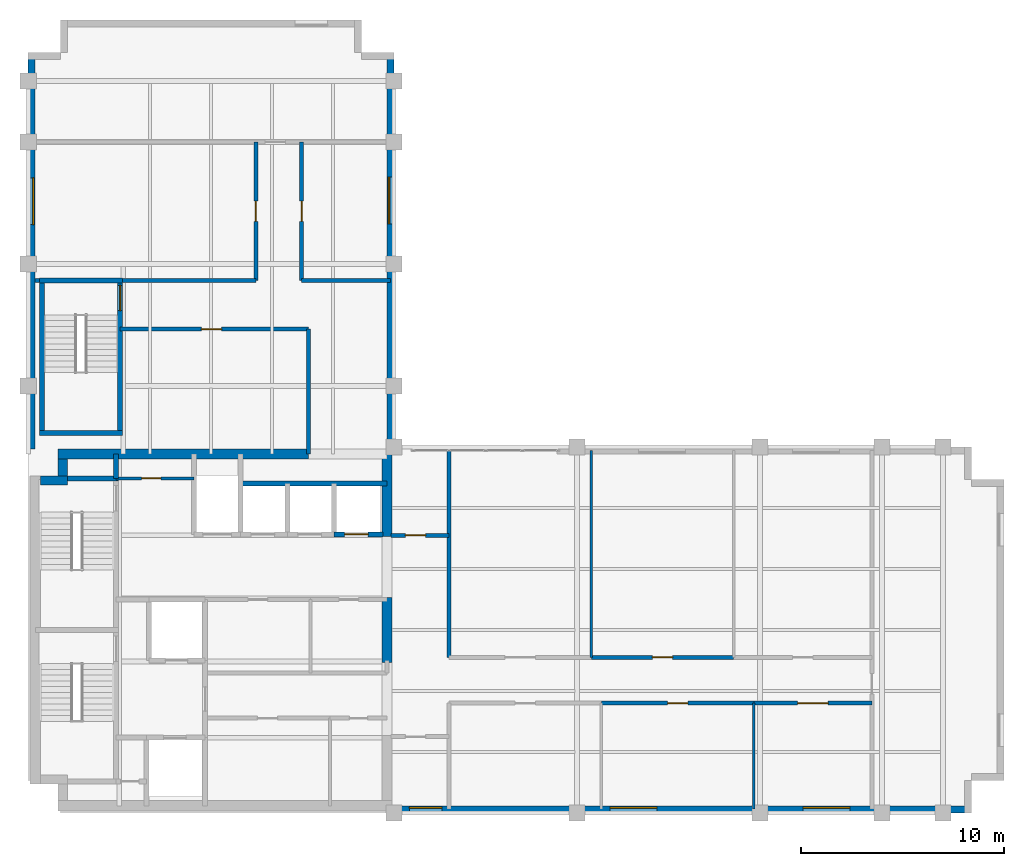
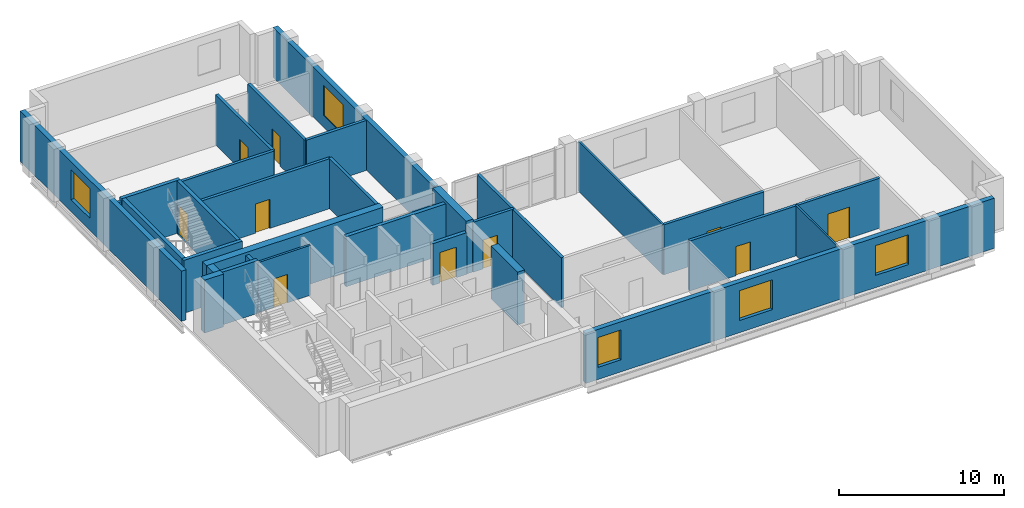
# One storey, part 5 of 7: 31 walls, 10 doors, 5 windows, 15 openings.
"""IFC4 building model written with IfcOpenShell, lengths in metres."""

from ifc_helpers import new_model, si_unit, direction, frame, frame_2d, origin, place, context, subcontext, project, spatial, rectangle, extrude, material, layer, layer_set, type_object, element, fill, save


model = new_model("IFC4")

# Units and contexts
model_context = context("Model", 3, precision=1e-05, world=origin(), true_north=direction((0.0, 1.0)))
body_context = subcontext(model_context, "Body", "Model", "MODEL_VIEW")
ifc_project = project(units=[si_unit("LENGTHUNIT", "METRE"), si_unit("AREAUNIT", "SQUARE_METRE"), si_unit("VOLUMEUNIT", "CUBIC_METRE"), si_unit("PLANEANGLEUNIT", "RADIAN"), si_unit("MASSUNIT", "GRAM", prefix="KILO")], contexts=[model_context])

# Site, building, storey
site_placement = place(None, origin())
site = spatial("IfcSite", under=ifc_project, at=site_placement, CompositionType="ELEMENT")
building_placement = place(site_placement, origin())
building = spatial("IfcBuilding", under=site, at=building_placement, Name="Mawjdan Bourse Tower", CompositionType="ELEMENT")
storey_placement = place(building_placement, frame((0.0, 0.0, 235.199951171875)))
storey = spatial("IfcBuildingStorey", under=building, at=storey_placement, Name="L57", CompositionType="ELEMENT", Elevation=235.199951171875)

# Wall, openings, windows
ifc_material_1 = material(Name="Brick Masonry Buff", Category="masonry")
ifc_layer_1 = layer(ifc_material_1, 0.340087890625)
ifc_layer_set_1 = layer_set([ifc_layer_1], Name="Brick Masonry Buff")
wall_type_1 = type_object("IfcWallType", Name="WL-BRK-SPN-340", PredefinedType="STANDARD", material=ifc_layer_set_1)
wall_1_placement = place(storey_placement, frame((23.89990234375, 3.169921875, 0.0), z_axis=(0.0, 0.0, 1.0), x_axis=(1.0, 0.0, 0.0)))
wall_1 = element("IfcWall", 1, at=wall_1_placement, inside=storey, type_object=wall_type_1, Name="L57 Exterior Brick Wall 1", PredefinedType="STANDARD", context=body_context, shape_type="SweptSolid", body=[
    extrude(rectangle(XDim=28.5, YDim=0.340087890625, at=frame_2d((14.25, 0.0))), origin(), (0.0, 0.0, 1.0), 3.699951171875),
])
opening_1_placement = place(wall_1_placement, frame((10.72509765625, 0.0, 0.89990234375)))
opening_1 = element("IfcOpeningElement", 2, at=opening_1_placement, cuts=wall_1, Name="Opening W-L57-01", PredefinedType="OPENING", context=body_context, shape_type="SweptSolid", body=[
    extrude(rectangle(XDim=2.300048828125, YDim=2.199951171875, at=frame_2d((1.14990234375, 1.10009765625))), frame((0.0, 0.18017578125, 0.0), z_axis=(0.0, -1.0, 0.0), x_axis=(1.0, 0.0, 0.0)), (0.0, 0.0, 1.0), 0.360107421875),
])
opening_2_placement = place(wall_1_placement, frame((20.22509765625, 0.0, 0.89990234375)))
opening_2 = element("IfcOpeningElement", 3, at=opening_2_placement, cuts=wall_1, Name="Opening W-L57-02", PredefinedType="OPENING", context=body_context, shape_type="SweptSolid", body=[
    extrude(rectangle(XDim=2.300048828125, YDim=2.199951171875, at=frame_2d((1.14990234375, 1.10009765625))), frame((0.0, 0.18017578125, 0.0), z_axis=(0.0, -1.0, 0.0), x_axis=(1.0, 0.0, 0.0)), (0.0, 0.0, 1.0), 0.360107421875),
])
opening_3_placement = place(wall_1_placement, frame((0.85009765625, 0.0, 0.89990234375)))
opening_3 = element("IfcOpeningElement", 4, at=opening_3_placement, cuts=wall_1, Name="Opening W-L57-09", PredefinedType="OPENING", context=body_context, shape_type="SweptSolid", body=[
    extrude(rectangle(XDim=1.60009765625, YDim=2.199951171875, at=frame_2d((0.800048828125, 1.10009765625))), frame((0.0, 0.18017578125, 0.0), z_axis=(0.0, -1.0, 0.0), x_axis=(1.0, 0.0, 0.0)), (0.0, 0.0, 1.0), 0.360107421875),
])
ifc_material_2 = material(Name="Solar-Control Clear Double Glazing", Category="glass")
window_type_1 = type_object("IfcWindowType", Name="WN-Z3-1600", PartitioningType="SINGLE_PANEL", PredefinedType="WINDOW", material=ifc_material_2)
window_1_placement = place(opening_3_placement, origin())
window_1 = element("IfcWindow", 5, at=window_1_placement, inside=storey, type_object=window_type_1, Name="L57 Deep-Set Masonry Window W-L57-09", OverallHeight=2.199951171875, OverallWidth=1.60009765625, PartitioningType="SINGLE_PANEL", PredefinedType="WINDOW", context=body_context, shape_type="SweptSolid", body=[
    extrude(rectangle(XDim=1.60009765625, YDim=2.199951171875, at=frame_2d((0.800048828125, 1.10009765625))), frame((0.0, 0.110107421875, 0.0), z_axis=(0.0, -1.0, 0.0), x_axis=(1.0, 0.0, 0.0)), (0.0, 0.0, 1.0), 0.06005859375),
])
fill(opening_3, window_1)
window_type_2 = type_object("IfcWindowType", Name="WN-Z3-2300", PartitioningType="SINGLE_PANEL", PredefinedType="WINDOW", material=ifc_material_2)
window_2_placement = place(opening_1_placement, origin())
window_2 = element("IfcWindow", 6, at=window_2_placement, inside=storey, type_object=window_type_2, Name="L57 Deep-Set Masonry Window W-L57-01", OverallHeight=2.199951171875, OverallWidth=2.300048828125, PartitioningType="SINGLE_PANEL", PredefinedType="WINDOW", context=body_context, shape_type="SweptSolid", body=[
    extrude(rectangle(XDim=2.300048828125, YDim=2.199951171875, at=frame_2d((1.14990234375, 1.10009765625))), frame((0.0, 0.110107421875, 0.0), z_axis=(0.0, -1.0, 0.0), x_axis=(1.0, 0.0, 0.0)), (0.0, 0.0, 1.0), 0.06005859375),
])
fill(opening_1, window_2)
window_3_placement = place(opening_2_placement, origin())
window_3 = element("IfcWindow", 7, at=window_3_placement, inside=storey, type_object=window_type_2, Name="L57 Deep-Set Masonry Window W-L57-02", OverallHeight=2.199951171875, OverallWidth=2.300048828125, PartitioningType="SINGLE_PANEL", PredefinedType="WINDOW", context=body_context, shape_type="SweptSolid", body=[
    extrude(rectangle(XDim=2.300048828125, YDim=2.199951171875, at=frame_2d((1.14990234375, 1.10009765625))), frame((0.0, 0.110107421875, 0.0), z_axis=(0.0, -1.0, 0.0), x_axis=(1.0, 0.0, 0.0)), (0.0, 0.0, 1.0), 0.06005859375),
])
fill(opening_2, window_3)

# Wall, opening, window
wall_2_placement = place(storey_placement, frame((23.830078125, 21.0, 0.0), z_axis=(0.0, 0.0, 1.0), x_axis=(0.0, 1.0, 0.0)))
wall_2 = element("IfcWall", 8, at=wall_2_placement, inside=storey, type_object=wall_type_1, Name="L57 Exterior Brick Wall 8", PredefinedType="STANDARD", context=body_context, shape_type="SweptSolid", body=[
    extrude(rectangle(XDim=19.39990234375, YDim=0.340087890625, at=frame_2d((9.699951171875, 0.0))), origin(), (0.0, 0.0, 1.0), 3.699951171875),
])
opening_4_placement = place(wall_2_placement, frame((10.97509765625, 0.0, 0.89990234375)))
opening_4 = element("IfcOpeningElement", 9, at=opening_4_placement, cuts=wall_2, Name="Opening W-L57-06", PredefinedType="OPENING", context=body_context, shape_type="SweptSolid", body=[
    extrude(rectangle(XDim=2.300048828125, YDim=2.199951171875, at=frame_2d((1.14990234375, 1.10009765625))), frame((0.0, 0.18017578125, 0.0), z_axis=(0.0, -1.0, 0.0), x_axis=(1.0, 0.0, 0.0)), (0.0, 0.0, 1.0), 0.360107421875),
])
window_4_placement = place(opening_4_placement, origin())
window_4 = element("IfcWindow", 10, at=window_4_placement, inside=storey, type_object=window_type_2, Name="L57 Deep-Set Masonry Window W-L57-06", OverallHeight=2.199951171875, OverallWidth=2.300048828125, PartitioningType="SINGLE_PANEL", PredefinedType="WINDOW", context=body_context, shape_type="SweptSolid", body=[
    extrude(rectangle(XDim=2.300048828125, YDim=2.199951171875, at=frame_2d((1.14990234375, 1.10009765625))), frame((0.0, 0.110107421875, 0.0), z_axis=(0.0, -1.0, 0.0), x_axis=(1.0, 0.0, 0.0)), (0.0, 0.0, 1.0), 0.06005859375),
])
fill(opening_4, window_4)

wall_3_placement = place(storey_placement, frame((6.169921875, 40.39990234375, 0.0), z_axis=(0.0, 0.0, 1.0), x_axis=(0.0, -1.0, 0.0)))
wall_3 = element("IfcWall", 11, at=wall_3_placement, inside=storey, type_object=wall_type_1, Name="L57 Exterior Brick Wall 14", PredefinedType="STANDARD", context=body_context, shape_type="SweptSolid", body=[
    extrude(rectangle(XDim=19.5, YDim=0.340087890625, at=frame_2d((9.75, 0.0))), origin(), (0.0, 0.0, 1.0), 3.699951171875),
])
opening_5_placement = place(wall_3_placement, frame((6.16259765625, 0.0, 0.89990234375)))
opening_5 = element("IfcOpeningElement", 12, at=opening_5_placement, cuts=wall_3, Name="Opening W-L57-08", PredefinedType="OPENING", context=body_context, shape_type="SweptSolid", body=[
    extrude(rectangle(XDim=2.300048828125, YDim=2.199951171875, at=frame_2d((1.14990234375, 1.10009765625))), frame((0.0, 0.18017578125, 0.0), z_axis=(0.0, -1.0, 0.0), x_axis=(1.0, 0.0, 0.0)), (0.0, 0.0, 1.0), 0.360107421875),
])
window_5_placement = place(opening_5_placement, origin())
window_5 = element("IfcWindow", 13, at=window_5_placement, inside=storey, type_object=window_type_2, Name="L57 Deep-Set Masonry Window W-L57-08", OverallHeight=2.199951171875, OverallWidth=2.300048828125, PartitioningType="SINGLE_PANEL", PredefinedType="WINDOW", context=body_context, shape_type="SweptSolid", body=[
    extrude(rectangle(XDim=2.300048828125, YDim=2.199951171875, at=frame_2d((1.14990234375, 1.10009765625))), frame((0.0, 0.110107421875, 0.0), z_axis=(0.0, -1.0, 0.0), x_axis=(1.0, 0.0, 0.0)), (0.0, 0.0, 1.0), 0.06005859375),
])
fill(opening_5, window_5)

# Wall, opening, door
ifc_material_3 = material(Name="Gypsum Fireboard Assembly")
ifc_layer_2 = layer(ifc_material_3, 0.199951171875)
ifc_layer_set_2 = layer_set([ifc_layer_2], Name="Gypsum Fireboard Assembly")
wall_type_2 = type_object("IfcWallType", Name="WL-CMP-200", PredefinedType="PARTITIONING", material=ifc_layer_set_2)
wall_4_placement = place(storey_placement, frame((23.85009765625, 16.64990234375, 0.0), z_axis=(0.0, 0.0, 1.0), x_axis=(1.0, 0.0, 0.0)))
wall_4 = element("IfcWall", 14, at=wall_4_placement, inside=storey, type_object=wall_type_2, Name="L57 West North Pocket Wall", PredefinedType="PARTITIONING", context=body_context, shape_type="SweptSolid", body=[
    extrude(rectangle(XDim=2.849853515625, YDim=0.199951171875, at=frame_2d((1.4248046875, 0.0))), origin(), (0.0, 0.0, 1.0), 3.68994140625),
])
opening_6_placement = place(wall_4_placement, frame((0.699951171875, 0.0, 0.0)))
opening_6 = element("IfcOpeningElement", 15, at=opening_6_placement, cuts=wall_4, Name="Opening D-L57-20", PredefinedType="OPENING", context=body_context, shape_type="SweptSolid", body=[
    extrude(rectangle(XDim=1.0, YDim=2.14990234375, at=frame_2d((0.5, 1.074951171875))), frame((0.0, 0.10986328125, 0.0), z_axis=(0.0, -1.0, 0.0), x_axis=(1.0, 0.0, 0.0)), (0.0, 0.0, 1.0), 0.219970703125),
])
ifc_material_4 = material(Name="Hardwood Acoustic Leaf", Category="wood")
door_type_1 = type_object("IfcDoorType", Name="DR-OFC-1000", OperationType="NOTDEFINED", PredefinedType="DOOR", material=ifc_material_4)
door_1_placement = place(opening_6_placement, origin())
door_1 = element("IfcDoor", 16, at=door_1_placement, inside=storey, type_object=door_type_1, Name="L57 West North Pocket Door D-L57-20", OperationType="SINGLE_SWING_LEFT", OverallHeight=2.14990234375, OverallWidth=1.0, PredefinedType="DOOR", context=body_context, shape_type="SweptSolid", body=[
    extrude(rectangle(XDim=1.0, YDim=2.14990234375, at=frame_2d((0.5, 1.074951171875))), frame((0.0, 0.02490234375, 0.0), z_axis=(0.0, -1.0, 0.0), x_axis=(1.0, 0.0, 0.0)), (0.0, 0.0, 1.0), 0.050048828125),
])
fill(opening_6, door_1)

# Wall
wall_5_placement = place(storey_placement, frame((26.699951171875, 10.64990234375, 0.0), z_axis=(0.0, 0.0, 1.0), x_axis=(0.0, 1.0, 0.0)))
element("IfcWall", 17, at=wall_5_placement, inside=storey, type_object=wall_type_2, Name="L57 Vestibule North East Wall", PredefinedType="PARTITIONING", context=body_context, shape_type="SweptSolid", body=[
    extrude(rectangle(XDim=10.170166015625, YDim=0.199951171875, at=frame_2d((5.0849609375, 0.0))), origin(), (0.0, 0.0, 1.0), 3.68994140625),
])

# Wall, opening, door
wall_6_placement = place(storey_placement, frame((34.199951171875, 8.39990234375, 0.0), z_axis=(0.0, 0.0, 1.0), x_axis=(1.0, 0.0, 0.0)))
wall_6 = element("IfcWall", 18, at=wall_6_placement, inside=storey, type_object=wall_type_2, Name="L57 Executive Office Corridor Wall", PredefinedType="PARTITIONING", context=body_context, shape_type="SweptSolid", body=[
    extrude(rectangle(XDim=7.5, YDim=0.199951171875, at=frame_2d((3.75, 0.0))), origin(), (0.0, 0.0, 1.0), 3.68994140625),
])
opening_7_placement = place(wall_6_placement, frame((3.25, 0.0, 0.0)))
opening_7 = element("IfcOpeningElement", 19, at=opening_7_placement, cuts=wall_6, Name="Opening D-L57-22", PredefinedType="OPENING", context=body_context, shape_type="SweptSolid", body=[
    extrude(rectangle(XDim=1.0, YDim=2.14990234375, at=frame_2d((0.5, 1.074951171875))), frame((0.0, 0.10986328125, 0.0), z_axis=(0.0, -1.0, 0.0), x_axis=(1.0, 0.0, 0.0)), (0.0, 0.0, 1.0), 0.219970703125),
])
door_2_placement = place(opening_7_placement, origin())
door_2 = element("IfcDoor", 20, at=door_2_placement, inside=storey, type_object=door_type_1, Name="L57 Executive Office Door D-L57-22", OperationType="SINGLE_SWING_LEFT", OverallHeight=2.14990234375, OverallWidth=1.0, PredefinedType="DOOR", context=body_context, shape_type="SweptSolid", body=[
    extrude(rectangle(XDim=1.0, YDim=2.14990234375, at=frame_2d((0.5, 1.074951171875))), frame((0.0, 0.02490234375, 0.0), z_axis=(0.0, -1.0, 0.0), x_axis=(1.0, 0.0, 0.0)), (0.0, 0.0, 1.0), 0.050048828125),
])
fill(opening_7, door_2)

wall_7_placement = place(storey_placement, frame((41.699951171875, 8.39990234375, 0.0), z_axis=(0.0, 0.0, 1.0), x_axis=(1.0, 0.0, 0.0)))
wall_7 = element("IfcWall", 21, at=wall_7_placement, inside=storey, type_object=wall_type_2, Name="L57 Conference Room Corridor Wall", PredefinedType="PARTITIONING", context=body_context, shape_type="SweptSolid", body=[
    extrude(rectangle(XDim=5.800048828125, YDim=0.199951171875, at=frame_2d((2.89990234375, 0.0))), origin(), (0.0, 0.0, 1.0), 3.68994140625),
])
opening_8_placement = place(wall_7_placement, frame((2.14990234375, 0.0, 0.0)))
opening_8 = element("IfcOpeningElement", 22, at=opening_8_placement, cuts=wall_7, Name="Opening D-L57-23", PredefinedType="OPENING", context=body_context, shape_type="SweptSolid", body=[
    extrude(rectangle(XDim=1.5, YDim=2.300048828125, at=frame_2d((0.75, 1.14990234375))), frame((0.0, 0.10986328125, 0.0), z_axis=(0.0, -1.0, 0.0), x_axis=(1.0, 0.0, 0.0)), (0.0, 0.0, 1.0), 0.219970703125),
])
ifc_material_5 = material(Name="Acoustic Glazed Timber", Category="wood")
door_type_2 = type_object("IfcDoorType", Name="DR-CNF-1500", OperationType="DOUBLE_DOOR_SINGLE_SWING", PredefinedType="DOOR", material=ifc_material_5)
door_3_placement = place(opening_8_placement, origin())
door_3 = element("IfcDoor", 23, at=door_3_placement, inside=storey, type_object=door_type_2, Name="L57 Conference Room Door D-L57-23", OperationType="DOUBLE_DOOR_SINGLE_SWING", OverallHeight=2.300048828125, OverallWidth=1.5, PredefinedType="DOOR", context=body_context, shape_type="SweptSolid", body=[
    extrude(rectangle(XDim=1.5, YDim=2.300048828125, at=frame_2d((0.75, 1.14990234375))), frame((0.0, 0.02490234375, 0.0), z_axis=(0.0, -1.0, 0.0), x_axis=(1.0, 0.0, 0.0)), (0.0, 0.0, 1.0), 0.050048828125),
])
fill(opening_8, door_3)

wall_8_placement = place(storey_placement, frame((33.699951171875, 10.64990234375, 0.0), z_axis=(0.0, 0.0, 1.0), x_axis=(1.0, 0.0, 0.0)))
wall_8 = element("IfcWall", 24, at=wall_8_placement, inside=storey, type_object=wall_type_2, Name="L57 Venture Research Office Corridor Wall", PredefinedType="PARTITIONING", context=body_context, shape_type="SweptSolid", body=[
    extrude(rectangle(XDim=7.0, YDim=0.199951171875, at=frame_2d((3.5, 0.0))), origin(), (0.0, 0.0, 1.0), 3.68994140625),
])
opening_9_placement = place(wall_8_placement, frame((3.0, 0.0, 0.0)))
opening_9 = element("IfcOpeningElement", 25, at=opening_9_placement, cuts=wall_8, Name="Opening D-L57-25", PredefinedType="OPENING", context=body_context, shape_type="SweptSolid", body=[
    extrude(rectangle(XDim=1.0, YDim=2.14990234375, at=frame_2d((0.5, 1.074951171875))), frame((0.0, 0.10986328125, 0.0), z_axis=(0.0, -1.0, 0.0), x_axis=(1.0, 0.0, 0.0)), (0.0, 0.0, 1.0), 0.219970703125),
])
door_4_placement = place(opening_9_placement, origin())
door_4 = element("IfcDoor", 26, at=door_4_placement, inside=storey, type_object=door_type_1, Name="L57 Venture Research Office Door D-L57-25", OperationType="SINGLE_SWING_RIGHT", OverallHeight=2.14990234375, OverallWidth=1.0, PredefinedType="DOOR", context=body_context, shape_type="SweptSolid", body=[
    extrude(rectangle(XDim=1.0, YDim=2.14990234375, at=frame_2d((0.5, 1.074951171875))), frame((0.0, 0.02490234375, 0.0), z_axis=(0.0, -1.0, 0.0), x_axis=(1.0, 0.0, 0.0)), (0.0, 0.0, 1.0), 0.050048828125),
])
fill(opening_9, door_4)

wall_9_placement = place(storey_placement, frame((10.52001953125, 26.800048828125, 0.0), z_axis=(0.0, 0.0, 1.0), x_axis=(1.0, 0.0, 0.0)))
wall_9 = element("IfcWall", 27, at=wall_9_placement, inside=storey, type_object=wall_type_2, Name="L57 North Throat North Wall", PredefinedType="PARTITIONING", context=body_context, shape_type="SweptSolid", body=[
    extrude(rectangle(XDim=9.280029296875, YDim=0.199951171875, at=frame_2d((4.64013671875, 0.0))), origin(), (0.0, 0.0, 1.0), 3.68994140625),
])
opening_10_placement = place(wall_9_placement, frame((4.0, 0.0, 0.0)))
opening_10 = element("IfcOpeningElement", 28, at=opening_10_placement, cuts=wall_9, Name="Opening D-L57-28", PredefinedType="OPENING", context=body_context, shape_type="SweptSolid", body=[
    extrude(rectangle(XDim=1.0, YDim=2.14990234375, at=frame_2d((0.5, 1.074951171875))), frame((0.0, 0.10986328125, 0.0), z_axis=(0.0, -1.0, 0.0), x_axis=(1.0, 0.0, 0.0)), (0.0, 0.0, 1.0), 0.219970703125),
])
door_5_placement = place(opening_10_placement, origin())
door_5 = element("IfcDoor", 29, at=door_5_placement, inside=storey, type_object=door_type_1, Name="L57 North Throat Suite Door D-L57-28", OperationType="SINGLE_SWING_LEFT", OverallHeight=2.14990234375, OverallWidth=1.0, PredefinedType="DOOR", context=body_context, shape_type="SweptSolid", body=[
    extrude(rectangle(XDim=1.0, YDim=2.14990234375, at=frame_2d((0.5, 1.074951171875))), frame((0.0, 0.02490234375, 0.0), z_axis=(0.0, -1.0, 0.0), x_axis=(1.0, 0.0, 0.0)), (0.0, 0.0, 1.0), 0.050048828125),
])
fill(opening_10, door_5)

# Walls
wall_10_placement = place(storey_placement, frame((19.800048828125, 20.64990234375, 0.0), z_axis=(0.0, 0.0, 1.0), x_axis=(0.0, 1.0, 0.0)))
element("IfcWall", 30, at=wall_10_placement, inside=storey, type_object=wall_type_2, Name="L57 North Throat East Wall", PredefinedType="PARTITIONING", context=body_context, shape_type="SweptSolid", body=[
    extrude(rectangle(XDim=6.150146484375, YDim=0.199951171875, at=frame_2d((3.0751953125, 0.0))), origin(), (0.0, 0.0, 1.0), 3.68994140625),
])
wall_11_placement = place(storey_placement, frame((6.340087890625, 29.179931640625, 0.0), z_axis=(0.0, 0.0, 1.0), x_axis=(1.0, 0.0, 0.0)))
element("IfcWall", 31, at=wall_11_placement, inside=storey, type_object=wall_type_2, Name="L57 North West Band ST3 West Return", PredefinedType="PARTITIONING", context=body_context, shape_type="SweptSolid", body=[
    extrude(rectangle(XDim=0.21484375, YDim=0.199951171875, at=frame_2d((0.107421875, 0.0))), origin(), (0.0, 0.0, 1.0), 3.68994140625),
])
wall_12_placement = place(storey_placement, frame((10.6298828125, 29.179931640625, 0.0), z_axis=(0.0, 0.0, 1.0), x_axis=(1.0, 0.0, 0.0)))
element("IfcWall", 32, at=wall_12_placement, inside=storey, type_object=wall_type_2, Name="L57 North West Band South Wall", PredefinedType="PARTITIONING", context=body_context, shape_type="SweptSolid", body=[
    extrude(rectangle(XDim=6.570068359375, YDim=0.199951171875, at=frame_2d((3.28515625, 0.0))), origin(), (0.0, 0.0, 1.0), 3.68994140625),
])
wall_13_placement = place(storey_placement, frame((19.449951171875, 29.179931640625, 0.0), z_axis=(0.0, 0.0, 1.0), x_axis=(1.0, 0.0, 0.0)))
element("IfcWall", 33, at=wall_13_placement, inside=storey, type_object=wall_type_2, Name="L57 North East Band South Wall", PredefinedType="PARTITIONING", context=body_context, shape_type="SweptSolid", body=[
    extrude(rectangle(XDim=4.3701171875, YDim=0.199951171875, at=frame_2d((2.18505859375, 0.0))), origin(), (0.0, 0.0, 1.0), 3.68994140625),
])

# Wall, opening, door
wall_14_placement = place(storey_placement, frame((17.199951171875, 29.179931640625, 0.0), z_axis=(0.0, 0.0, 1.0), x_axis=(0.0, 1.0, 0.0)))
wall_14 = element("IfcWall", 34, at=wall_14_placement, inside=storey, type_object=wall_type_2, Name="L57 Executive Office Corridor Wall", PredefinedType="PARTITIONING", context=body_context, shape_type="SweptSolid", body=[
    extrude(rectangle(XDim=6.820068359375, YDim=0.199951171875, at=frame_2d((3.41015625, 0.0))), origin(), (0.0, 0.0, 1.0), 3.68994140625),
])
opening_11_placement = place(wall_14_placement, frame((2.909912109375, 0.0, 0.0)))
opening_11 = element("IfcOpeningElement", 35, at=opening_11_placement, cuts=wall_14, Name="Opening D-L57-29", PredefinedType="OPENING", context=body_context, shape_type="SweptSolid", body=[
    extrude(rectangle(XDim=1.0, YDim=2.14990234375, at=frame_2d((0.5, 1.074951171875))), frame((0.0, 0.10986328125, 0.0), z_axis=(0.0, -1.0, 0.0), x_axis=(1.0, 0.0, 0.0)), (0.0, 0.0, 1.0), 0.219970703125),
])
door_6_placement = place(opening_11_placement, origin())
door_6 = element("IfcDoor", 36, at=door_6_placement, inside=storey, type_object=door_type_1, Name="L57 Executive Office Door D-L57-29", OperationType="SINGLE_SWING_RIGHT", OverallHeight=2.14990234375, OverallWidth=1.0, PredefinedType="DOOR", context=body_context, shape_type="SweptSolid", body=[
    extrude(rectangle(XDim=1.0, YDim=2.14990234375, at=frame_2d((0.5, 1.074951171875))), frame((0.0, 0.02490234375, 0.0), z_axis=(0.0, -1.0, 0.0), x_axis=(1.0, 0.0, 0.0)), (0.0, 0.0, 1.0), 0.050048828125),
])
fill(opening_11, door_6)

wall_15_placement = place(storey_placement, frame((19.449951171875, 29.179931640625, 0.0), z_axis=(0.0, 0.0, 1.0), x_axis=(0.0, 1.0, 0.0)))
wall_15 = element("IfcWall", 37, at=wall_15_placement, inside=storey, type_object=wall_type_2, Name="L57 Venture Research Office Corridor Wall", PredefinedType="PARTITIONING", context=body_context, shape_type="SweptSolid", body=[
    extrude(rectangle(XDim=6.820068359375, YDim=0.199951171875, at=frame_2d((3.41015625, 0.0))), origin(), (0.0, 0.0, 1.0), 3.68994140625),
])
opening_12_placement = place(wall_15_placement, frame((2.909912109375, 0.0, 0.0)))
opening_12 = element("IfcOpeningElement", 38, at=opening_12_placement, cuts=wall_15, Name="Opening D-L57-30", PredefinedType="OPENING", context=body_context, shape_type="SweptSolid", body=[
    extrude(rectangle(XDim=1.0, YDim=2.14990234375, at=frame_2d((0.5, 1.074951171875))), frame((0.0, 0.10986328125, 0.0), z_axis=(0.0, -1.0, 0.0), x_axis=(1.0, 0.0, 0.0)), (0.0, 0.0, 1.0), 0.219970703125),
])
door_7_placement = place(opening_12_placement, origin())
door_7 = element("IfcDoor", 39, at=door_7_placement, inside=storey, type_object=door_type_1, Name="L57 Venture Research Office Door D-L57-30", OperationType="SINGLE_SWING_LEFT", OverallHeight=2.14990234375, OverallWidth=1.0, PredefinedType="DOOR", context=body_context, shape_type="SweptSolid", body=[
    extrude(rectangle(XDim=1.0, YDim=2.14990234375, at=frame_2d((0.5, 1.074951171875))), frame((0.0, 0.02490234375, 0.0), z_axis=(0.0, -1.0, 0.0), x_axis=(1.0, 0.0, 0.0)), (0.0, 0.0, 1.0), 0.050048828125),
])
fill(opening_12, door_7)

# Walls
ifc_material_6 = material(Name="Concrete C60/75", Category="concrete")
ifc_layer_3 = layer(ifc_material_6, 0.449951171875)
ifc_layer_set_3 = layer_set([ifc_layer_3], Name="Concrete C60/75")
wall_type_3 = type_object("IfcWallType", Name="WL-CORE-450", PredefinedType="SHEAR", material=ifc_layer_set_3)
wall_16_placement = place(storey_placement, frame((6.60009765625, 19.35009765625, 0.0), z_axis=(0.0, 0.0, 1.0), x_axis=(1.0, 0.0, 0.0)))
element("IfcWall", 40, at=wall_16_placement, inside=storey, type_object=wall_type_3, Name="L57 Rear Core Shear Wall NW-X", PredefinedType="SHEAR", context=body_context, shape_type="SweptSolid", body=[
    extrude(rectangle(XDim=1.324951171875, YDim=0.449951171875, at=frame_2d((0.66259765625, 0.0))), origin(), (0.0, 0.0, 1.0), 3.900146484375),
])
wall_17_placement = place(storey_placement, frame((7.699951171875, 19.574951171875, 0.0), z_axis=(0.0, 0.0, 1.0), x_axis=(0.0, 1.0, 0.0)))
element("IfcWall", 41, at=wall_17_placement, inside=storey, type_object=wall_type_3, Name="L57 Rear Core Shear Wall NW-Y", PredefinedType="SHEAR", context=body_context, shape_type="SweptSolid", body=[
    extrude(rectangle(XDim=0.824951171875, YDim=0.449951171875, at=frame_2d((0.41259765625, 0.0))), origin(), (0.0, 0.0, 1.0), 3.900146484375),
])
ifc_layer_4 = layer(ifc_material_6, 0.5)
ifc_layer_set_4 = layer_set([ifc_layer_4], Name="Concrete C60/75")
wall_type_4 = type_object("IfcWallType", Name="WL-CORE-500", PredefinedType="SHEAR", material=ifc_layer_set_4)
wall_18_placement = place(storey_placement, frame((7.47509765625, 20.64990234375, 0.0), z_axis=(0.0, 0.0, 1.0), x_axis=(1.0, 0.0, 0.0)))
element("IfcWall", 42, at=wall_18_placement, inside=storey, type_object=wall_type_4, Name="L57 Rear Core Shear Wall N", PredefinedType="SHEAR", context=body_context, shape_type="SweptSolid", body=[
    extrude(rectangle(XDim=12.324951171875, YDim=0.5, at=frame_2d((6.16259765625, 0.0))), origin(), (0.0, 0.0, 1.0), 3.900146484375),
])
wall_19_placement = place(storey_placement, frame((23.64990234375, 10.39990234375, 0.0), z_axis=(0.0, 0.0, 1.0), x_axis=(0.0, 1.0, 0.0)))
element("IfcWall", 43, at=wall_19_placement, inside=storey, type_object=wall_type_4, Name="L57 Rear Core Shear Wall E2", PredefinedType="SHEAR", context=body_context, shape_type="SweptSolid", body=[
    extrude(rectangle(XDim=3.2001953125, YDim=0.5, at=frame_2d((1.60009765625, 0.0))), origin(), (0.0, 0.0, 1.0), 3.900146484375),
])
wall_20_placement = place(storey_placement, frame((23.64990234375, 16.60009765625, 0.0), z_axis=(0.0, 0.0, 1.0), x_axis=(0.0, 1.0, 0.0)))
element("IfcWall", 44, at=wall_20_placement, inside=storey, type_object=wall_type_4, Name="L57 Rear Core Shear Wall E3", PredefinedType="SHEAR", context=body_context, shape_type="SweptSolid", body=[
    extrude(rectangle(XDim=4.0498046875, YDim=0.5, at=frame_2d((2.02490234375, 0.0))), origin(), (0.0, 0.0, 1.0), 3.900146484375),
])
ifc_material_7 = material(Name="Gypsum Partition")
ifc_layer_5 = layer(ifc_material_7, 0.125)
ifc_layer_set_5 = layer_set([ifc_layer_5], Name="Gypsum Partition")
wall_type_5 = type_object("IfcWallType", Name="WL-PRT-125", PredefinedType="PARTITIONING", material=ifc_layer_set_5)
wall_21_placement = place(storey_placement, frame((41.699951171875, 3.179931640625, 0.0), z_axis=(0.0, 0.0, 1.0), x_axis=(0.0, 1.0, 0.0)))
element("IfcWall", 45, at=wall_21_placement, inside=storey, type_object=wall_type_5, Name="L57 Conference Room Partition", PredefinedType="PARTITIONING", context=body_context, shape_type="SweptSolid", body=[
    extrude(rectangle(XDim=5.219970703125, YDim=0.125, at=frame_2d((2.60986328125, 0.0))), origin(), (0.0, 0.0, 1.0), 3.68994140625),
])
wall_22_placement = place(storey_placement, frame((33.699951171875, 10.64990234375, 0.0), z_axis=(0.0, 0.0, 1.0), x_axis=(0.0, 1.0, 0.0)))
element("IfcWall", 46, at=wall_22_placement, inside=storey, type_object=wall_type_5, Name="L57 Venture Research Office Partition", PredefinedType="PARTITIONING", context=body_context, shape_type="SweptSolid", body=[
    extrude(rectangle(XDim=10.170166015625, YDim=0.125, at=frame_2d((5.0849609375, 0.0))), origin(), (0.0, 0.0, 1.0), 3.68994140625),
])

# Wall, opening, door
ifc_material_8 = material(Name="Gypsum Acoustic Partition")
ifc_layer_6 = layer(ifc_material_8, 0.14990234375)
ifc_layer_set_6 = layer_set([ifc_layer_6], Name="Gypsum Acoustic Partition")
wall_type_6 = type_object("IfcWallType", Name="WL-PRT-150", PredefinedType="PARTITIONING", material=ifc_layer_set_6)
wall_23_placement = place(storey_placement, frame((10.330078125, 19.449951171875, 0.0), z_axis=(0.0, 0.0, 1.0), x_axis=(1.0, 0.0, 0.0)))
wall_23 = element("IfcWall", 47, at=wall_23_placement, inside=storey, type_object=wall_type_6, Name="L57 Housekeeping South Wall", PredefinedType="PARTITIONING", context=body_context, shape_type="SweptSolid", body=[
    extrude(rectangle(XDim=3.81982421875, YDim=0.14990234375, at=frame_2d((1.909912109375, 0.0))), origin(), (0.0, 0.0, 1.0), 3.68994140625),
])
opening_13_placement = place(wall_23_placement, frame((1.25, 0.0, 0.0)))
opening_13 = element("IfcOpeningElement", 48, at=opening_13_placement, cuts=wall_23, Name="Opening D-L57-17", PredefinedType="OPENING", context=body_context, shape_type="SweptSolid", body=[
    extrude(rectangle(XDim=0.949951171875, YDim=2.10009765625, at=frame_2d((0.47509765625, 1.050048828125))), frame((0.0, 0.0849609375, 0.0), z_axis=(0.0, -1.0, 0.0), x_axis=(1.0, 0.0, 0.0)), (0.0, 0.0, 1.0), 0.169921875),
])
ifc_material_9 = material(Name="Moisture-Resistant Laminate Timber", Category="wood")
door_type_3 = type_object("IfcDoorType", Name="DR-WET-0950", OperationType="NOTDEFINED", PredefinedType="DOOR", material=ifc_material_9)
door_8_placement = place(opening_13_placement, origin())
door_8 = element("IfcDoor", 49, at=door_8_placement, inside=storey, type_object=door_type_3, Name="L57 Housekeeping Closet Door D-L57-17", OperationType="SINGLE_SWING_RIGHT", OverallHeight=2.10009765625, OverallWidth=0.949951171875, PredefinedType="DOOR", context=body_context, shape_type="SweptSolid", body=[
    extrude(rectangle(XDim=0.949951171875, YDim=2.10009765625, at=frame_2d((0.47509765625, 1.050048828125))), frame((0.0, 0.02490234375, 0.0), z_axis=(0.0, -1.0, 0.0), x_axis=(1.0, 0.0, 0.0)), (0.0, 0.0, 1.0), 0.050048828125),
])
fill(opening_13, door_8)

# Wall
ifc_material_10 = material(Name="Concrete C50/60", Category="concrete")
ifc_layer_7 = layer(ifc_material_10, 0.25)
ifc_layer_set_7 = layer_set([ifc_layer_7], Name="Concrete C50/60")
wall_type_7 = type_object("IfcWallType", Name="WL-SHFT-250", PredefinedType="PARTITIONING", material=ifc_layer_set_7)
wall_24_placement = place(storey_placement, frame((10.330078125, 19.449951171875, 0.0), z_axis=(0.0, 0.0, 1.0), x_axis=(0.0, 1.0, 0.0)))
element("IfcWall", 50, at=wall_24_placement, inside=storey, type_object=wall_type_7, Name="L57 NW Riser East Wall", PredefinedType="PARTITIONING", context=body_context, shape_type="SweptSolid", body=[
    extrude(rectangle(XDim=1.199951171875, YDim=0.25, at=frame_2d((0.60009765625, 0.0))), origin(), (0.0, 0.0, 1.0), 3.68994140625),
])

# Wall, opening, door
wall_25_placement = place(storey_placement, frame((21.050048828125, 16.699951171875, 0.0), z_axis=(0.0, 0.0, 1.0), x_axis=(1.0, 0.0, 0.0)))
wall_25 = element("IfcWall", 51, at=wall_25_placement, inside=storey, type_object=wall_type_7, Name="L57 PH-03 Front Wall", PredefinedType="PARTITIONING", context=body_context, shape_type="SweptSolid", body=[
    extrude(rectangle(XDim=2.39990234375, YDim=0.25, at=frame_2d((1.199951171875, 0.0))), origin(), (0.0, 0.0, 1.0), 3.072998046875),
])
opening_14_placement = place(wall_25_placement, frame((0.52001953125, 0.0, 0.0)))
opening_14 = element("IfcOpeningElement", 52, at=opening_14_placement, cuts=wall_25, Name="Opening LD-L57-12", PredefinedType="OPENING", context=body_context, shape_type="SweptSolid", body=[
    extrude(rectangle(XDim=1.14990234375, YDim=2.25, at=frame_2d((0.574951171875, 1.125))), frame((0.0, 0.135009765625, 0.0), z_axis=(0.0, -1.0, 0.0), x_axis=(1.0, 0.0, 0.0)), (0.0, 0.0, 1.0), 0.27001953125),
])
ifc_material_11 = material(Name="Brushed Stainless Steel", Category="steel")
door_type_4 = type_object("IfcDoorType", Name="LD-PAS-1150", OperationType="DOUBLE_DOOR_SLIDING", PredefinedType="DOOR", material=ifc_material_11)
door_9_placement = place(opening_14_placement, origin())
door_9 = element("IfcDoor", 53, at=door_9_placement, inside=storey, type_object=door_type_4, Name="L57 Lift PH-03 Landing Door LD-L57-12", OperationType="DOUBLE_DOOR_SLIDING", OverallHeight=2.25, OverallWidth=1.14990234375, PredefinedType="DOOR", context=body_context, shape_type="SweptSolid", body=[
    extrude(rectangle(XDim=1.14990234375, YDim=2.25, at=frame_2d((0.574951171875, 1.125))), frame((0.0, 0.02490234375, 0.0), z_axis=(0.0, -1.0, 0.0), x_axis=(1.0, 0.0, 0.0)), (0.0, 0.0, 1.0), 0.050048828125),
])
fill(opening_14, door_9)

# Walls
wall_26_placement = place(storey_placement, frame((16.449951171875, 19.199951171875, 0.0), z_axis=(0.0, 0.0, 1.0), x_axis=(1.0, 0.0, 0.0)))
element("IfcWall", 54, at=wall_26_placement, inside=storey, type_object=wall_type_7, Name="L57 PH Bank North Shaft Back Wall", PredefinedType="PARTITIONING", context=body_context, shape_type="SweptSolid", body=[
    extrude(rectangle(XDim=7.199951171875, YDim=0.25, at=frame_2d((3.60009765625, 0.0))), origin(), (0.0, 0.0, 1.0), 3.68994140625),
])
ifc_layer_8 = layer(ifc_material_10, 0.25)
ifc_layer_set_8 = layer_set([ifc_layer_8], Name="Concrete C50/60")
wall_type_8 = type_object("IfcWallType", Name="WL-STRW-250", PredefinedType="SHEAR", material=ifc_layer_set_8)
wall_27_placement = place(storey_placement, frame((7.699951171875, 19.449951171875, 0.0), z_axis=(0.0, 0.0, 1.0), x_axis=(1.0, 0.0, 0.0)))
element("IfcWall", 55, at=wall_27_placement, inside=storey, type_object=wall_type_8, Name="L57 Stairwell ST2 North Shaft Wall", PredefinedType="SHEAR", context=body_context, shape_type="SweptSolid", body=[
    extrude(rectangle(XDim=2.755126953125, YDim=0.25, at=frame_2d((1.37744140625, 0.0))), origin(), (0.0, 0.0, 1.0), 3.900146484375),
])
for number, where, z_axis, x_axis, name in (
    (56, (6.554931640625, 21.679931640625, 0.0), (0.0, 0.0, 1.0), (1.0, 0.0, 0.0), "L57 ST3 South Shaft Wall"),
    (57, (6.554931640625, 29.179931640625, 0.0), (0.0, 0.0, 1.0), (1.0, 0.0, 0.0), "L57 ST3 North Shaft Wall"),
):
    element("IfcWall", number, at=place(storey_placement, frame(where, z_axis=z_axis, x_axis=x_axis)), inside=storey, type_object=wall_type_8, Name=name, PredefinedType="SHEAR", context=body_context, shape_type="SweptSolid", body=[
        extrude(rectangle(XDim=4.090087890625, YDim=0.25, at=frame_2d((2.044921875, 0.0))), origin(), (0.0, 0.0, 1.0), 3.900146484375),
    ])
wall_28_placement = place(storey_placement, frame((6.679931640625, 21.679931640625, 0.0), z_axis=(0.0, 0.0, 1.0), x_axis=(0.0, 1.0, 0.0)))
element("IfcWall", 58, at=wall_28_placement, inside=storey, type_object=wall_type_8, Name="L57 ST3 West Shaft Wall", PredefinedType="SHEAR", context=body_context, shape_type="SweptSolid", body=[
    extrude(rectangle(XDim=7.5, YDim=0.25, at=frame_2d((3.75, 0.0))), origin(), (0.0, 0.0, 1.0), 3.900146484375),
])

# Wall, opening, door
wall_29_placement = place(storey_placement, frame((10.52001953125, 21.679931640625, 0.0), z_axis=(0.0, 0.0, 1.0), x_axis=(0.0, 1.0, 0.0)))
wall_29 = element("IfcWall", 59, at=wall_29_placement, inside=storey, type_object=wall_type_8, Name="L57 ST3 East Shaft Wall", PredefinedType="SHEAR", context=body_context, shape_type="SweptSolid", body=[
    extrude(rectangle(XDim=7.5, YDim=0.25, at=frame_2d((3.75, 0.0))), origin(), (0.0, 0.0, 1.0), 3.900146484375),
])
opening_15_placement = place(wall_29_placement, frame((6.02001953125, 0.0, 0.0)))
opening_15 = element("IfcOpeningElement", 60, at=opening_15_placement, cuts=wall_29, Name="Opening SD-L57-18", PredefinedType="OPENING", context=body_context, shape_type="SweptSolid", body=[
    extrude(rectangle(XDim=1.25, YDim=2.199951171875, at=frame_2d((0.625, 1.10009765625))), frame((0.0, 0.135009765625, 0.0), z_axis=(0.0, -1.0, 0.0), x_axis=(1.0, 0.0, 0.0)), (0.0, 0.0, 1.0), 0.27001953125),
])
ifc_material_12 = material(Name="Fire-Rated Steel Leaf", Category="steel")
door_type_5 = type_object("IfcDoorType", Name="FD-ST-1250", OperationType="NOTDEFINED", PredefinedType="DOOR", material=ifc_material_12)
door_10_placement = place(opening_15_placement, origin())
door_10 = element("IfcDoor", 61, at=door_10_placement, inside=storey, type_object=door_type_5, Name="L57 Stair ST3 Fire Door SD-L57-18", OperationType="SINGLE_SWING_LEFT", OverallHeight=2.199951171875, OverallWidth=1.25, PredefinedType="DOOR", context=body_context, shape_type="SweptSolid", body=[
    extrude(rectangle(XDim=1.25, YDim=2.199951171875, at=frame_2d((0.625, 1.10009765625))), frame((0.0, 0.02490234375, 0.0), z_axis=(0.0, -1.0, 0.0), x_axis=(1.0, 0.0, 0.0)), (0.0, 0.0, 1.0), 0.050048828125),
])
fill(opening_15, door_10)

save(model, "model.ifc")
